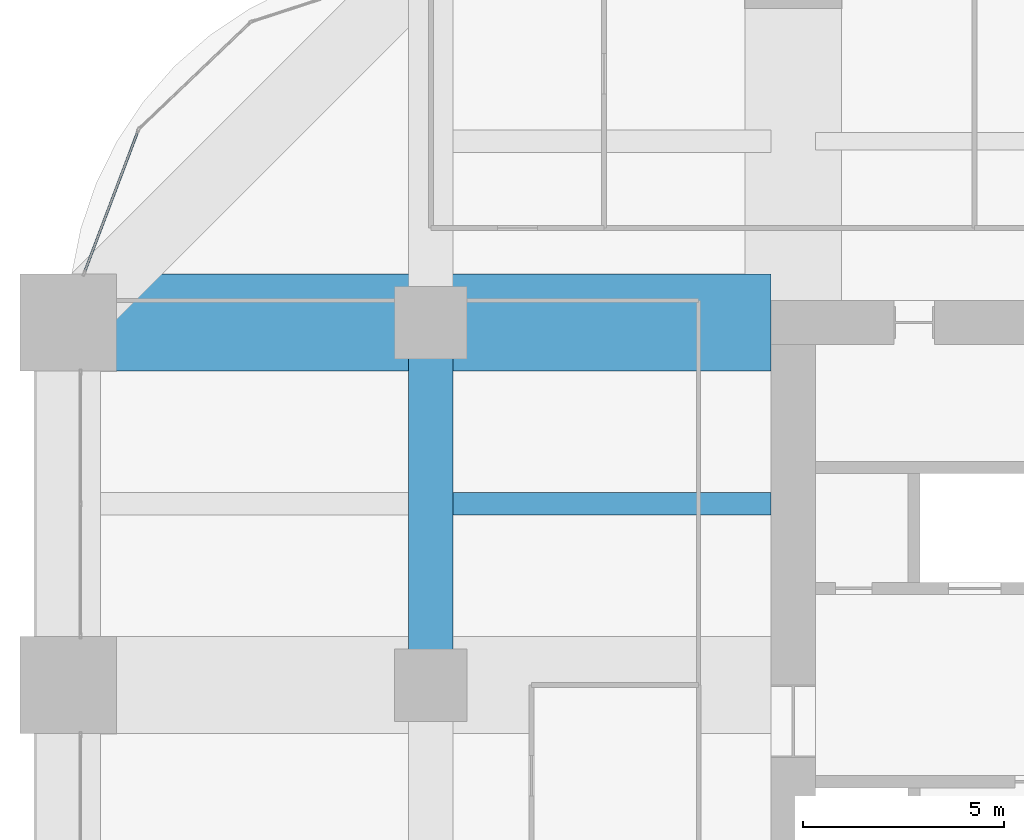
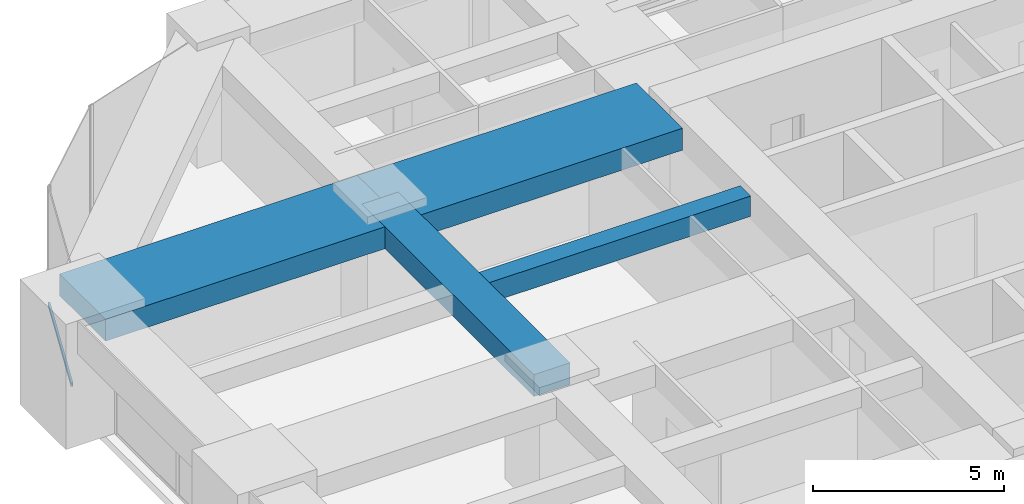
# One storey, part 25 of 42: 4 beams, 1 member, 1 element without a shape of its own.
"""IFC4 building model written with IfcOpenShell, lengths in metres."""

from ifc_helpers import new_model, si_unit, direction, frame, origin, origin_2d, place, context, subcontext, project, spatial, rectangle, hollow_rectangle, extrude, material, material_profile, profile_set, type_object, element, aggregate, save


model = new_model("IFC4")

# Units and contexts
model_context = context("Model", 3, precision=1e-05, world=origin(), true_north=direction((0.0, 1.0)))
body_context = subcontext(model_context, "Body", "Model", "MODEL_VIEW")
ifc_project = project(units=[si_unit("LENGTHUNIT", "METRE"), si_unit("AREAUNIT", "SQUARE_METRE"), si_unit("VOLUMEUNIT", "CUBIC_METRE"), si_unit("PLANEANGLEUNIT", "RADIAN"), si_unit("MASSUNIT", "GRAM", prefix="KILO")], contexts=[model_context])

# Site, building, storey
site_placement = place(None, origin())
site = spatial("IfcSite", under=ifc_project, at=site_placement, CompositionType="ELEMENT")
building_placement = place(site_placement, origin())
building = spatial("IfcBuilding", under=site, at=building_placement, Name="Zorevar Civic Tower", CompositionType="ELEMENT")
storey_placement = place(building_placement, frame((0.0, 0.0, 149.0)))
storey = spatial("IfcBuildingStorey", under=building, at=storey_placement, Name="L36", CompositionType="ELEMENT", Elevation=149.0)

# Beams
ifc_material_1 = material(Name="Concrete C50/60", Category="concrete")
ifc_material_profile_1 = material_profile(ifc_material_1, rectangle(XDim=1.10009765625, YDim=0.699951171875, at=origin_2d()), Name="RC 1100x700")
ifc_profile_set_1 = profile_set([ifc_material_profile_1], Name="Concrete C50/60")
beam_type_1 = type_object("IfcBeamType", Name="Beam RC 1100x700", PredefinedType="BEAM", material=ifc_profile_set_1)
beam_1_placement = place(storey_placement, frame((9.0, 27.0, 3.39990234375), z_axis=(0.0, 1.0, 0.0), x_axis=(-1.0, 0.0, 0.0)))
element("IfcBeam", 1, at=beam_1_placement, inside=storey, type_object=beam_type_1, Name="Girder L37", PredefinedType="BEAM", context=body_context, shape_type="SweptSolid", body=[
    extrude(rectangle(XDim=1.10009765625, YDim=0.699951171875, at=origin_2d()), origin(), (0.0, 0.0, 1.0), 9.0),
])
ifc_material_2 = material(Name="Concrete C50/60", Category="concrete")
ifc_material_profile_2 = material_profile(ifc_material_2, rectangle(XDim=2.39990234375, YDim=0.699951171875, at=origin_2d()), Name="RC 2400x700")
ifc_profile_set_2 = profile_set([ifc_material_profile_2], Name="Concrete C50/60")
beam_type_2 = type_object("IfcBeamType", Name="Beam RC 2400x700", PredefinedType="BEAM", material=ifc_profile_set_2)
beam_2_placement = place(storey_placement, frame((0.0, 36.0, 3.39990234375), z_axis=(1.0, 0.0, 0.0), x_axis=(0.0, 1.0, 0.0)))
element("IfcBeam", 2, at=beam_2_placement, inside=storey, type_object=beam_type_2, Name="Girder L37", PredefinedType="BEAM", context=body_context, shape_type="SweptSolid", body=[
    extrude(rectangle(XDim=2.39990234375, YDim=0.699951171875, at=origin_2d()), origin(), (0.0, 0.0, 1.0), 9.0),
])
beam_3_placement = place(storey_placement, frame((9.0, 36.0, 3.39990234375), z_axis=(1.0, 0.0, 0.0), x_axis=(0.0, 1.0, 0.0)))
element("IfcBeam", 3, at=beam_3_placement, inside=storey, type_object=beam_type_2, Name="Girder L37", PredefinedType="BEAM", context=body_context, shape_type="SweptSolid", body=[
    extrude(rectangle(XDim=2.39990234375, YDim=0.699951171875, at=origin_2d()), origin(), (0.0, 0.0, 1.0), 8.449951171875),
])
ifc_material_3 = material(Name="Concrete C50/60", Category="concrete")
ifc_material_profile_3 = material_profile(ifc_material_3, rectangle(XDim=0.550048828125, YDim=0.64990234375, at=origin_2d()), Name="RC 550x650")
ifc_profile_set_3 = profile_set([ifc_material_profile_3], Name="Concrete C50/60")
beam_type_3 = type_object("IfcBeamType", Name="Beam RC 550x650", PredefinedType="BEAM", material=ifc_profile_set_3)
beam_4_placement = place(storey_placement, frame((9.550048828125, 31.5, 3.425048828125), z_axis=(1.0, 0.0, 0.0), x_axis=(0.0, 1.0, 0.0)))
element("IfcBeam", 4, at=beam_4_placement, inside=storey, type_object=beam_type_3, Name="Secondary beam L37", PredefinedType="BEAM", context=body_context, shape_type="SweptSolid", body=[
    extrude(rectangle(XDim=0.550048828125, YDim=0.64990234375, at=origin_2d()), origin(), (0.0, 0.0, 1.0), 7.89990234375),
])

# Curtain wall, member
ifc_material_4 = material(Name="Dark grey solar-control glass in black aluminium frame", Category="aluminium")
curtain_wall_type = type_object("IfcCurtainWallType", Name="Curtain wall CW3 mid zone", PredefinedType="NOTDEFINED", material=ifc_material_4)
curtain_wall_placement = place(storey_placement, origin())
curtain_wall = element("IfcCurtainWall", 5, at=curtain_wall_placement, inside=storey, type_object=curtain_wall_type, Name="CW3 L36", PredefinedType="NOTDEFINED")
ifc_material_5 = material(Name="Aluminium, black anodised", Category="aluminium")
ifc_material_profile_4 = material_profile(ifc_material_5, hollow_rectangle(XDim=0.06005859375, YDim=0.1201171875, WallThickness=0.0029296875, at=origin_2d()), Name="AL 120x60x3")
ifc_profile_set_4 = profile_set([ifc_material_profile_4], Name="Aluminium, black anodised")
member_type = type_object("IfcMemberType", Name="CW3 transom AL 120x60x3", PredefinedType="USERDEFINED", material=ifc_profile_set_4)
member_placement = place(storey_placement, frame((1.726318359375, 40.7490234375, 0.030029296875), z_axis=(-0.353923007857, -0.93527456103, 0.0), x_axis=(0.93527456103, -0.353923007857, 0.0)))
member = element("IfcMember", 6, at=member_placement, type_object=member_type, Name="CW3 sill transom", ObjectType="TRANSOM", PredefinedType="USERDEFINED", context=body_context, shape_type="SweptSolid", body=[
    extrude(hollow_rectangle(XDim=0.06005859375, YDim=0.1201171875, WallThickness=0.0029296875, at=origin_2d()), origin(), (0.0, 0.0, 1.0), 3.734619140625),
])
aggregate(curtain_wall, [member])

save(model, "model.ifc")
